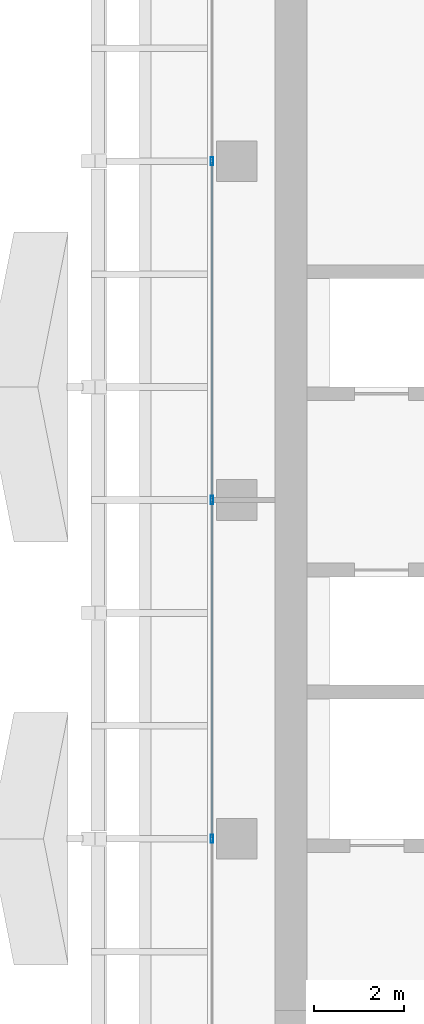
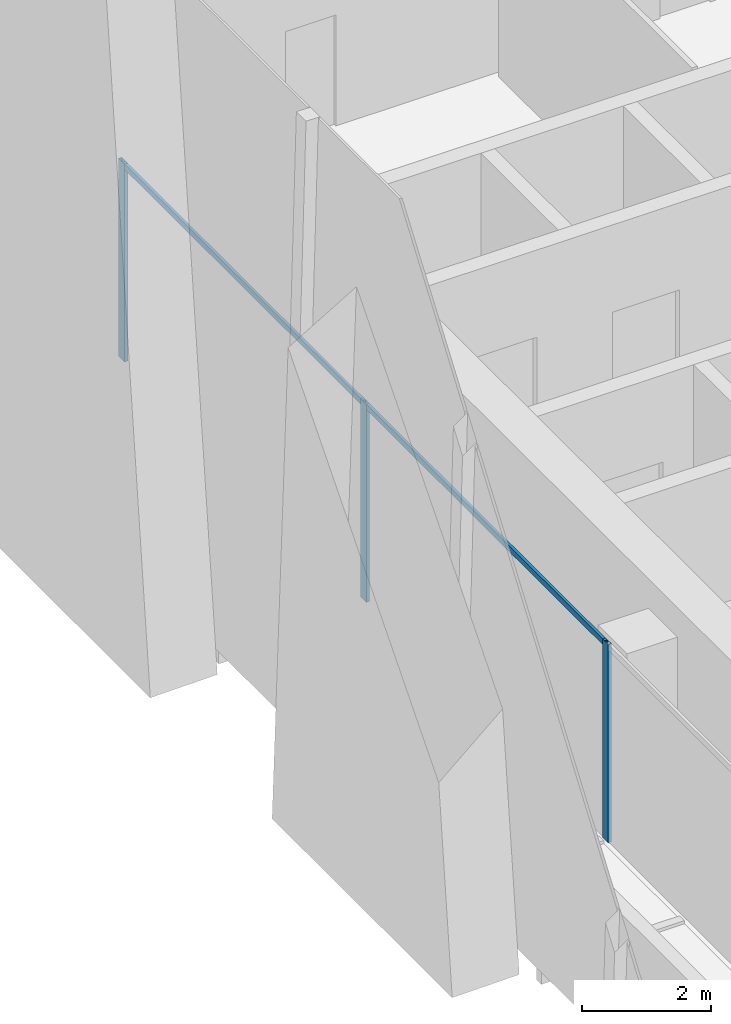
# One storey, part 7 of 33: 5 members, 1 element without a shape of its own.
"""IFC4 building model written with IfcOpenShell, lengths in metres."""

from ifc_helpers import new_model, si_unit, direction, frame, origin, origin_2d, place, context, subcontext, project, spatial, hollow_rectangle, extrude, source, transform, mapped, material, material_profile, profile_set, type_object, element, aggregate, save


model = new_model("IFC4")

# Units and contexts
model_context = context("Model", 3, precision=1e-05, world=origin(), true_north=direction((0.0, 1.0)))
body_context = subcontext(model_context, "Body", "Model", "MODEL_VIEW")
ifc_project = project(units=[si_unit("LENGTHUNIT", "METRE"), si_unit("AREAUNIT", "SQUARE_METRE"), si_unit("VOLUMEUNIT", "CUBIC_METRE"), si_unit("PLANEANGLEUNIT", "RADIAN"), si_unit("MASSUNIT", "GRAM", prefix="KILO")], contexts=[model_context])

# Site, building, storey
site_placement = place(None, origin())
site = spatial("IfcSite", under=ifc_project, at=site_placement, CompositionType="ELEMENT")
building_placement = place(site_placement, origin())
building = spatial("IfcBuilding", under=site, at=building_placement, Name="Khomas Fold Tower", CompositionType="ELEMENT")
storey_placement = place(building_placement, frame((0.0, 0.0, 222.199951171875)))
storey = spatial("IfcBuildingStorey", under=building, at=storey_placement, Name="L49", CompositionType="ELEMENT", Elevation=222.199951171875)

# Curtain wall, members
ifc_material_1 = material(Name="Aluminium framed double glazing", Category="aluminium")
curtain_wall_type = type_object("IfcCurtainWallType", Name="SK-Unitised clear-glass wall, office floors CW2", PredefinedType="NOTDEFINED", material=ifc_material_1)
curtain_wall_placement = place(storey_placement, origin())
curtain_wall = element("IfcCurtainWall", 1, at=curtain_wall_placement, inside=storey, type_object=curtain_wall_type, Name="CW2 run L49 09-0", PredefinedType="NOTDEFINED")
ifc_material_2 = material(Name="Aluminium", Category="aluminium")
ifc_material_profile_1 = material_profile(ifc_material_2, hollow_rectangle(XDim=0.06005859375, YDim=0.179931640625, WallThickness=0.00390625, at=origin_2d()), Name="SK-Unitised clear-glass wall, office floors mullion CW2-M")
ifc_profile_set_1 = profile_set([ifc_material_profile_1], Name="Aluminium")
member_type_1 = type_object("IfcMemberType", Name="SK-Unitised clear-glass wall, office floors mullion CW2-M", PredefinedType="MULLION", material=ifc_profile_set_1)
shared_shape_1 = source(origin(), body_context, "Body", "SweptSolid", [
    extrude(hollow_rectangle(XDim=0.06005859375, YDim=0.179931640625, WallThickness=0.00390625, at=origin_2d()), origin(), (0.0, 0.0, 1.0), 3.75),
])
member_1_placement = place(storey_placement, frame((4.60009765625, 34.5, 0.0), z_axis=(0.0, 0.0, 1.0), x_axis=(1.0, 0.0, 0.0)))
member_1 = element("IfcMember", 2, at=member_1_placement, type_object=member_type_1, Name="CW2 mullion 3", PredefinedType="MULLION", context=body_context, shape_type="MappedRepresentation", body=[
    mapped(shared_shape_1, transform((0.0, 0.0, 0.0))),
])
member_2_placement = place(storey_placement, frame((4.60009765625, 27.0, 0.0), z_axis=(0.0, 0.0, 1.0), x_axis=(1.0, 0.0, 0.0)))
member_2 = element("IfcMember", 3, at=member_2_placement, type_object=member_type_1, Name="CW2 mullion 4", PredefinedType="MULLION", context=body_context, shape_type="MappedRepresentation", body=[
    mapped(shared_shape_1, transform((0.0, 0.0, 0.0))),
])
member_3_placement = place(storey_placement, frame((4.60009765625, 19.5, 0.0), z_axis=(0.0, 0.0, 1.0), x_axis=(1.0, 0.0, 0.0)))
member_3 = element("IfcMember", 4, at=member_3_placement, type_object=member_type_1, Name="CW2 mullion 5", PredefinedType="MULLION", context=body_context, shape_type="MappedRepresentation", body=[
    mapped(shared_shape_1, transform((0.0, 0.0, 0.0))),
])
ifc_material_3 = material(Name="Aluminium", Category="aluminium")
ifc_material_profile_2 = material_profile(ifc_material_3, hollow_rectangle(XDim=0.050048828125, YDim=0.110107421875, WallThickness=0.00390625, at=origin_2d()), Name="SK-Unitised clear-glass wall, office floors transom CW2-T")
ifc_profile_set_2 = profile_set([ifc_material_profile_2], Name="Aluminium")
member_type_2 = type_object("IfcMemberType", Name="SK-Unitised clear-glass wall, office floors transom CW2-T", PredefinedType="USERDEFINED", material=ifc_profile_set_2)
shared_shape_2 = source(origin(), body_context, "Body", "SweptSolid", [
    extrude(hollow_rectangle(XDim=0.050048828125, YDim=0.110107421875, WallThickness=0.00390625, at=origin_2d()), origin(), (0.0, 0.0, 1.0), 7.43994140625),
])
member_4_placement = place(storey_placement, frame((4.60009765625, 34.469970703125, 3.695068359375), z_axis=(0.0, -1.0, 0.0), x_axis=(1.0, 0.0, 0.0)))
member_4 = element("IfcMember", 5, at=member_4_placement, type_object=member_type_2, Name="CW2 transom 3", ObjectType="TRANSOM", PredefinedType="USERDEFINED", context=body_context, shape_type="MappedRepresentation", body=[
    mapped(shared_shape_2, transform((0.0, 0.0, 0.0))),
])
member_5_placement = place(storey_placement, frame((4.60009765625, 26.969970703125, 3.695068359375), z_axis=(0.0, -1.0, 0.0), x_axis=(1.0, 0.0, 0.0)))
member_5 = element("IfcMember", 6, at=member_5_placement, type_object=member_type_2, Name="CW2 transom 4", ObjectType="TRANSOM", PredefinedType="USERDEFINED", context=body_context, shape_type="MappedRepresentation", body=[
    mapped(shared_shape_2, transform((0.0, 0.0, 0.0))),
])
aggregate(curtain_wall, [member_1, member_2, member_3, member_4, member_5])

save(model, "model.ifc")
